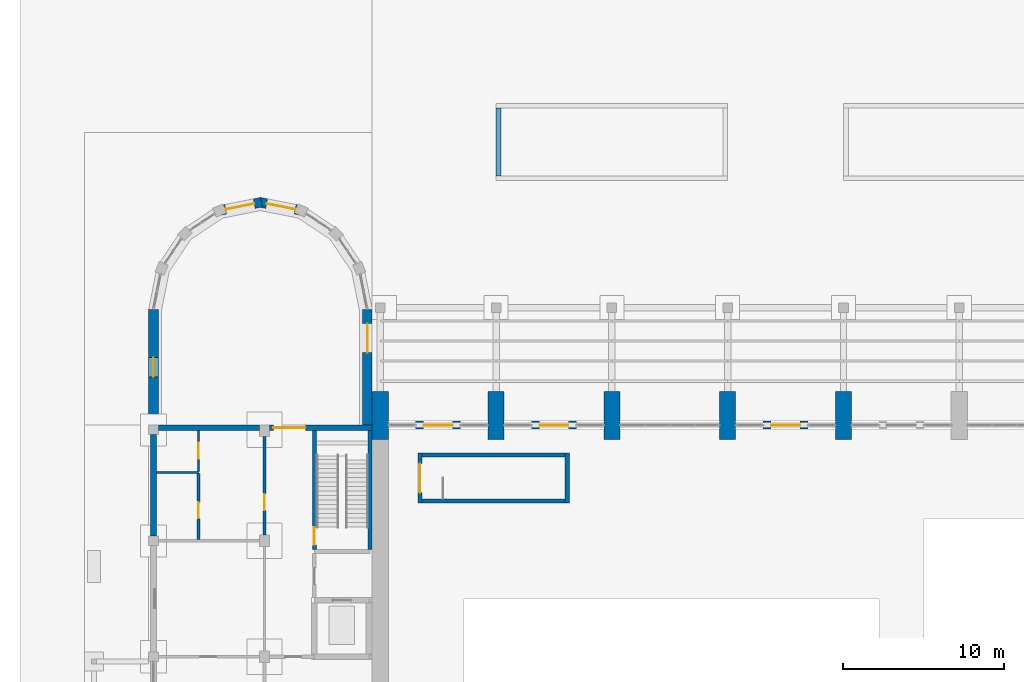
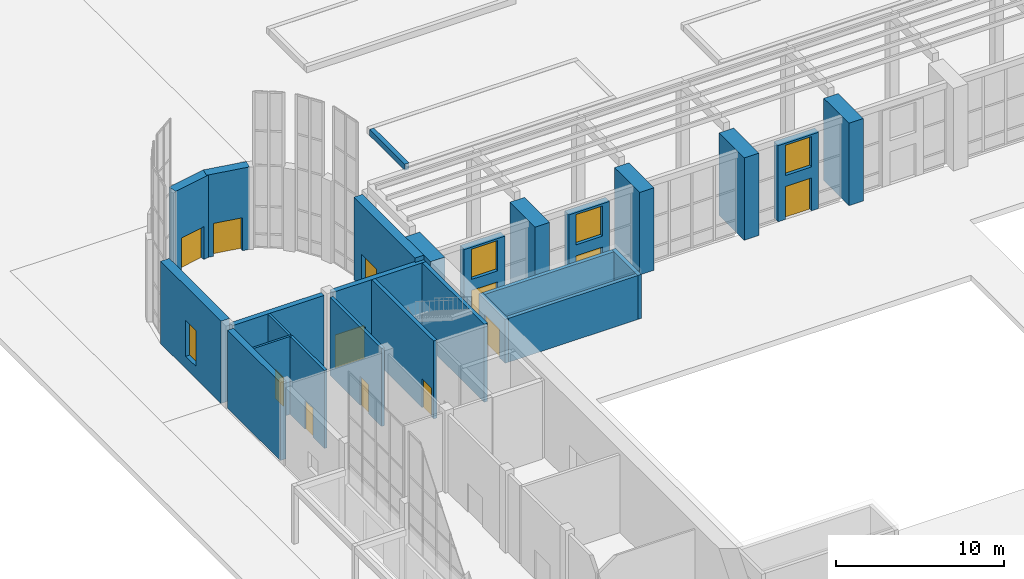
# One storey, part 45 of 70: 26 walls, 12 doors, 4 windows, 16 openings.
"""IFC4 building model written with IfcOpenShell, lengths in metres."""

from ifc_helpers import new_model, si_unit, direction, frame, frame_2d, origin, place, context, subcontext, project, spatial, rectangle, extrude, material, layer, layer_set, type_object, element, fill, save


model = new_model("IFC4")

# Units and contexts
model_context = context("Model", 3, precision=1e-05, world=origin(), true_north=direction((0.0, 1.0)))
body_context = subcontext(model_context, "Body", "Model", "MODEL_VIEW")
ifc_project = project(units=[si_unit("LENGTHUNIT", "METRE"), si_unit("AREAUNIT", "SQUARE_METRE"), si_unit("VOLUMEUNIT", "CUBIC_METRE"), si_unit("PLANEANGLEUNIT", "RADIAN"), si_unit("MASSUNIT", "GRAM", prefix="KILO")], contexts=[model_context])

# Site, building, storey
site_placement = place(None, origin())
site = spatial("IfcSite", under=ifc_project, at=site_placement, CompositionType="ELEMENT")
building_placement = place(site_placement, origin())
building = spatial("IfcBuilding", under=site, at=building_placement, Name="Vermilion Court Aquatics Centre", CompositionType="ELEMENT")
storey_placement = place(building_placement, origin())
storey = spatial("IfcBuildingStorey", under=building, at=storey_placement, Name="L00", CompositionType="ELEMENT", Elevation=0.0)

# Wall
ifc_material_1 = material(Name="Brick masonry", Category="masonry")
ifc_layer_1 = layer(ifc_material_1, 0.300048828125)
ifc_layer_set_1 = layer_set([ifc_layer_1], Name="Court planting kerb 300")
wall_type_1 = type_object("IfcWallType", Name="Court planting kerb 300", PredefinedType="SOLIDWALL", material=ifc_layer_set_1)
wall_1_placement = place(storey_placement, frame((21.75, 80.300048828125, 0.0), z_axis=(0.0, 0.0, 1.0), x_axis=(0.0, 1.0, 0.0)))
element("IfcWall", 1, at=wall_1_placement, inside=storey, type_object=wall_type_1, Name="Planting bed 1 kerb", PredefinedType="SOLIDWALL", context=body_context, shape_type="SweptSolid", body=[
    extrude(rectangle(XDim=4.199951171875, YDim=0.300048828125, at=frame_2d((2.10009765625, 0.0))), origin(), (0.0, 0.0, 1.0), 0.449951171875),
])

# Wall, openings, door, window
ifc_material_2 = material(Name="Brick masonry", Category="masonry")
ifc_layer_2 = layer(ifc_material_2, 0.5)
ifc_layer_set_2 = layer_set([ifc_layer_2], Name="Envelope brick north wall 500")
wall_type_2 = type_object("IfcWallType", Name="Envelope brick north wall 500", PredefinedType="SOLIDWALL", material=ifc_layer_set_2)
wall_2_placement = place(storey_placement, frame((16.60009765625, 64.800048828125, 0.0), z_axis=(0.0, 0.0, 1.0), x_axis=(1.0, 0.0, 0.0)))
wall_2 = element("IfcWall", 2, at=wall_2_placement, inside=storey, type_object=wall_type_2, Name="North wall bay 1 L00", PredefinedType="SOLIDWALL", context=body_context, shape_type="SweptSolid", body=[
    extrude(rectangle(XDim=2.7998046875, YDim=0.5, at=frame_2d((1.39990234375, 0.0))), origin(), (0.0, 0.0, 1.0), 5.550048828125),
])
opening_1_placement = place(wall_2_placement, frame((0.5, 0.0, 0.0)))
opening_1 = element("IfcOpeningElement", 3, at=opening_1_placement, cuts=wall_2, Name="Opening E00-003", PredefinedType="OPENING", context=body_context, shape_type="SweptSolid", body=[
    extrude(rectangle(XDim=1.800048828125, YDim=2.39990234375, at=frame_2d((0.89990234375, 1.199951171875))), frame((0.0, 0.260009765625, 0.0), z_axis=(0.0, -1.0, 0.0), x_axis=(1.0, 0.0, 0.0)), (0.0, 0.0, 1.0), 0.52001953125),
])
opening_2_placement = place(wall_2_placement, frame((0.5, 0.0, 3.199951171875)))
opening_2 = element("IfcOpeningElement", 4, at=opening_2_placement, cuts=wall_2, Name="Opening EF1", PredefinedType="OPENING", context=body_context, shape_type="SweptSolid", body=[
    extrude(rectangle(XDim=1.800048828125, YDim=2.199951171875, at=frame_2d((0.89990234375, 1.10009765625))), frame((0.0, 0.260009765625, 0.0), z_axis=(0.0, -1.0, 0.0), x_axis=(1.0, 0.0, 0.0)), (0.0, 0.0, 1.0), 0.52001953125),
])
ifc_material_3 = material(Name="Hollow metal")
door_type_1 = type_object("IfcDoorType", Name="Envelope exit door pair 1800x2400", OperationType="DOUBLE_DOOR_SINGLE_SWING", PredefinedType="DOOR", material=ifc_material_3)
door_1_placement = place(opening_1_placement, origin())
door_1 = element("IfcDoor", 5, at=door_1_placement, inside=storey, type_object=door_type_1, Name="Exit door E00-003", OperationType="DOUBLE_DOOR_SINGLE_SWING", OverallHeight=2.39990234375, OverallWidth=1.800048828125, PredefinedType="DOOR", context=body_context, shape_type="SweptSolid", body=[
    extrude(rectangle(XDim=1.800048828125, YDim=2.39990234375, at=frame_2d((0.89990234375, 1.199951171875))), frame((0.0, 0.02490234375, 0.0), z_axis=(0.0, -1.0, 0.0), x_axis=(1.0, 0.0, 0.0)), (0.0, 0.0, 1.0), 0.050048828125),
])
fill(opening_1, door_1)
ifc_material_4 = material(Name="Aluminium 6063-T5", Category="aluminium")
window_type_1 = type_object("IfcWindowType", Name="Envelope exit fanlight 1800x2200", PartitioningType="SINGLE_PANEL", PredefinedType="WINDOW", material=ifc_material_4)
window_1_placement = place(opening_2_placement, origin())
window_1 = element("IfcWindow", 6, at=window_1_placement, inside=storey, type_object=window_type_1, Name="Exit fanlight bay 1", OverallHeight=2.199951171875, OverallWidth=1.800048828125, PartitioningType="SINGLE_PANEL", PredefinedType="WINDOW", context=body_context, shape_type="SweptSolid", body=[
    extrude(rectangle(XDim=1.800048828125, YDim=2.199951171875, at=frame_2d((0.89990234375, 1.10009765625))), frame((0.0, 0.030029296875, 0.0), z_axis=(0.0, -1.0, 0.0), x_axis=(1.0, 0.0, 0.0)), (0.0, 0.0, 1.0), 0.06005859375),
])
fill(opening_2, window_1)

wall_3_placement = place(storey_placement, frame((23.800048828125, 64.800048828125, 0.0), z_axis=(0.0, 0.0, 1.0), x_axis=(1.0, 0.0, 0.0)))
wall_3 = element("IfcWall", 7, at=wall_3_placement, inside=storey, type_object=wall_type_2, Name="North wall bay 2 L00", PredefinedType="SOLIDWALL", context=body_context, shape_type="SweptSolid", body=[
    extrude(rectangle(XDim=2.800048828125, YDim=0.5, at=frame_2d((1.39990234375, 0.0))), origin(), (0.0, 0.0, 1.0), 5.550048828125),
])
opening_3_placement = place(wall_3_placement, frame((0.5, 0.0, 0.0)))
opening_3 = element("IfcOpeningElement", 8, at=opening_3_placement, cuts=wall_3, Name="Opening E00-004", PredefinedType="OPENING", context=body_context, shape_type="SweptSolid", body=[
    extrude(rectangle(XDim=1.800048828125, YDim=2.39990234375, at=frame_2d((0.89990234375, 1.199951171875))), frame((0.0, 0.260009765625, 0.0), z_axis=(0.0, -1.0, 0.0), x_axis=(1.0, 0.0, 0.0)), (0.0, 0.0, 1.0), 0.52001953125),
])
opening_4_placement = place(wall_3_placement, frame((0.5, 0.0, 3.199951171875)))
opening_4 = element("IfcOpeningElement", 9, at=opening_4_placement, cuts=wall_3, Name="Opening EF1", PredefinedType="OPENING", context=body_context, shape_type="SweptSolid", body=[
    extrude(rectangle(XDim=1.800048828125, YDim=2.199951171875, at=frame_2d((0.89990234375, 1.10009765625))), frame((0.0, 0.260009765625, 0.0), z_axis=(0.0, -1.0, 0.0), x_axis=(1.0, 0.0, 0.0)), (0.0, 0.0, 1.0), 0.52001953125),
])
door_2_placement = place(opening_3_placement, origin())
door_2 = element("IfcDoor", 10, at=door_2_placement, inside=storey, type_object=door_type_1, Name="Exit door E00-004", OperationType="DOUBLE_DOOR_SINGLE_SWING", OverallHeight=2.39990234375, OverallWidth=1.800048828125, PredefinedType="DOOR", context=body_context, shape_type="SweptSolid", body=[
    extrude(rectangle(XDim=1.800048828125, YDim=2.39990234375, at=frame_2d((0.89990234375, 1.199951171875))), frame((0.0, 0.02490234375, 0.0), z_axis=(0.0, -1.0, 0.0), x_axis=(1.0, 0.0, 0.0)), (0.0, 0.0, 1.0), 0.050048828125),
])
fill(opening_3, door_2)
window_2_placement = place(opening_4_placement, origin())
window_2 = element("IfcWindow", 11, at=window_2_placement, inside=storey, type_object=window_type_1, Name="Exit fanlight bay 2", OverallHeight=2.199951171875, OverallWidth=1.800048828125, PartitioningType="SINGLE_PANEL", PredefinedType="WINDOW", context=body_context, shape_type="SweptSolid", body=[
    extrude(rectangle(XDim=1.800048828125, YDim=2.199951171875, at=frame_2d((0.89990234375, 1.10009765625))), frame((0.0, 0.030029296875, 0.0), z_axis=(0.0, -1.0, 0.0), x_axis=(1.0, 0.0, 0.0)), (0.0, 0.0, 1.0), 0.06005859375),
])
fill(opening_4, window_2)

wall_4_placement = place(storey_placement, frame((38.199951171875, 64.800048828125, 0.0), z_axis=(0.0, 0.0, 1.0), x_axis=(1.0, 0.0, 0.0)))
wall_4 = element("IfcWall", 12, at=wall_4_placement, inside=storey, type_object=wall_type_2, Name="North wall bay 4 L00", PredefinedType="SOLIDWALL", context=body_context, shape_type="SweptSolid", body=[
    extrude(rectangle(XDim=2.800048828125, YDim=0.5, at=frame_2d((1.39990234375, 0.0))), origin(), (0.0, 0.0, 1.0), 5.550048828125),
])
opening_5_placement = place(wall_4_placement, frame((0.5, 0.0, 0.0)))
opening_5 = element("IfcOpeningElement", 13, at=opening_5_placement, cuts=wall_4, Name="Opening E00-005", PredefinedType="OPENING", context=body_context, shape_type="SweptSolid", body=[
    extrude(rectangle(XDim=1.800048828125, YDim=2.39990234375, at=frame_2d((0.89990234375, 1.199951171875))), frame((0.0, 0.260009765625, 0.0), z_axis=(0.0, -1.0, 0.0), x_axis=(1.0, 0.0, 0.0)), (0.0, 0.0, 1.0), 0.52001953125),
])
opening_6_placement = place(wall_4_placement, frame((0.5, 0.0, 3.199951171875)))
opening_6 = element("IfcOpeningElement", 14, at=opening_6_placement, cuts=wall_4, Name="Opening EF1", PredefinedType="OPENING", context=body_context, shape_type="SweptSolid", body=[
    extrude(rectangle(XDim=1.800048828125, YDim=2.199951171875, at=frame_2d((0.89990234375, 1.10009765625))), frame((0.0, 0.260009765625, 0.0), z_axis=(0.0, -1.0, 0.0), x_axis=(1.0, 0.0, 0.0)), (0.0, 0.0, 1.0), 0.52001953125),
])
door_3_placement = place(opening_5_placement, origin())
door_3 = element("IfcDoor", 15, at=door_3_placement, inside=storey, type_object=door_type_1, Name="Exit door E00-005", OperationType="DOUBLE_DOOR_SINGLE_SWING", OverallHeight=2.39990234375, OverallWidth=1.800048828125, PredefinedType="DOOR", context=body_context, shape_type="SweptSolid", body=[
    extrude(rectangle(XDim=1.800048828125, YDim=2.39990234375, at=frame_2d((0.89990234375, 1.199951171875))), frame((0.0, 0.02490234375, 0.0), z_axis=(0.0, -1.0, 0.0), x_axis=(1.0, 0.0, 0.0)), (0.0, 0.0, 1.0), 0.050048828125),
])
fill(opening_5, door_3)
window_3_placement = place(opening_6_placement, origin())
window_3 = element("IfcWindow", 16, at=window_3_placement, inside=storey, type_object=window_type_1, Name="Exit fanlight bay 4", OverallHeight=2.199951171875, OverallWidth=1.800048828125, PartitioningType="SINGLE_PANEL", PredefinedType="WINDOW", context=body_context, shape_type="SweptSolid", body=[
    extrude(rectangle(XDim=1.800048828125, YDim=2.199951171875, at=frame_2d((0.89990234375, 1.10009765625))), frame((0.0, 0.030029296875, 0.0), z_axis=(0.0, -1.0, 0.0), x_axis=(1.0, 0.0, 0.0)), (0.0, 0.0, 1.0), 0.06005859375),
])
fill(opening_6, window_3)

# Wall
ifc_material_5 = material(Name="Brick masonry", Category="masonry")
ifc_layer_3 = layer(ifc_material_5, 0.35009765625)
ifc_layer_set_3 = layer_set([ifc_layer_3], Name="Foyer brick wall 350")
wall_type_3 = type_object("IfcWallType", Name="Foyer brick wall 350", PredefinedType="SOLIDWALL", material=ifc_layer_set_3)
wall_5_placement = place(storey_placement, frame((0.60009765625, 64.625, 0.0), z_axis=(0.0, 0.0, 1.0), x_axis=(1.0, 0.0, 0.0)))
element("IfcWall", 17, at=wall_5_placement, inside=storey, type_object=wall_type_3, Name="Foyer brick wall", PredefinedType="SOLIDWALL", context=body_context, shape_type="SweptSolid", body=[
    extrude(rectangle(XDim=6.2998046875, YDim=0.35009765625, at=frame_2d((3.14990234375, 0.0))), origin(), (0.0, 0.0, 1.0), 5.675048828125),
])

# Wall, opening, door
wall_6_placement = place(storey_placement, frame((7.5, 64.625, 0.0), z_axis=(0.0, 0.0, 1.0), x_axis=(1.0, 0.0, 0.0)))
wall_6 = element("IfcWall", 18, at=wall_6_placement, inside=storey, type_object=wall_type_3, Name="Foyer brick wall", PredefinedType="SOLIDWALL", context=body_context, shape_type="SweptSolid", body=[
    extrude(rectangle(XDim=6.39990234375, YDim=0.35009765625, at=frame_2d((3.199951171875, 0.0))), origin(), (0.0, 0.0, 1.0), 5.675048828125),
])
opening_7_placement = place(wall_6_placement, frame((0.25, 0.0, 0.0)))
opening_7 = element("IfcOpeningElement", 19, at=opening_7_placement, cuts=wall_6, Name="Opening F00-024", PredefinedType="OPENING", context=body_context, shape_type="SweptSolid", body=[
    extrude(rectangle(XDim=2.0, YDim=2.39990234375, at=frame_2d((1.0, 1.199951171875))), frame((0.0, 0.18505859375, 0.0), z_axis=(0.0, -1.0, 0.0), x_axis=(1.0, 0.0, 0.0)), (0.0, 0.0, 1.0), 0.3701171875),
])
ifc_material_6 = material(Name="Hollow metal", Category="metal")
door_type_2 = type_object("IfcDoorType", Name="Foyer park link door 2000", OperationType="DOUBLE_DOOR_SINGLE_SWING", PredefinedType="DOOR", material=ifc_material_6)
door_4_placement = place(opening_7_placement, origin())
door_4 = element("IfcDoor", 20, at=door_4_placement, inside=storey, type_object=door_type_2, Name="Park link door", OperationType="DOUBLE_DOOR_SINGLE_SWING", OverallHeight=2.39990234375, OverallWidth=2.0, PredefinedType="DOOR", context=body_context, shape_type="SweptSolid", body=[
    extrude(rectangle(XDim=2.0, YDim=2.39990234375, at=frame_2d((1.0, 1.199951171875))), frame((0.0, 0.02490234375, 0.0), z_axis=(0.0, -1.0, 0.0), x_axis=(1.0, 0.0, 0.0)), (0.0, 0.0, 1.0), 0.050048828125),
])
fill(opening_7, door_4)

# Wall
ifc_material_7 = material(Name="Brick masonry", Category="masonry")
ifc_layer_4 = layer(ifc_material_7, 0.39990234375)
ifc_layer_set_4 = layer_set([ifc_layer_4], Name="Foyer brick wall 400")
wall_type_4 = type_object("IfcWallType", Name="Foyer brick wall 400", PredefinedType="SOLIDWALL", material=ifc_layer_set_4)
wall_7_placement = place(storey_placement, frame((0.300048828125, 57.89990234375, 0.0), z_axis=(0.0, 0.0, 1.0), x_axis=(0.0, 1.0, 0.0)))
element("IfcWall", 21, at=wall_7_placement, inside=storey, type_object=wall_type_4, Name="Foyer brick wall", PredefinedType="SOLIDWALL", context=body_context, shape_type="SweptSolid", body=[
    extrude(rectangle(XDim=6.300048828125, YDim=0.39990234375, at=frame_2d((3.14990234375, 0.0))), origin(), (0.0, 0.0, 1.0), 5.675048828125),
])

# Wall, opening, door
ifc_material_8 = material(Name="Concrete masonry ASTM C90 Type I", Category="masonry")
ifc_layer_5 = layer(ifc_material_8, 0.199951171875)
ifc_layer_set_5 = layer_set([ifc_layer_5], Name="Foyer partition wall 200")
wall_type_5 = type_object("IfcWallType", Name="Foyer partition wall 200", PredefinedType="PARTITIONING", material=ifc_layer_set_5)
wall_8_placement = place(storey_placement, frame((3.10009765625, 57.675048828125, 0.0), z_axis=(0.0, 0.0, 1.0), x_axis=(0.0, 1.0, 0.0)))
wall_8 = element("IfcWall", 22, at=wall_8_placement, inside=storey, type_object=wall_type_5, Name="Partition wall", PredefinedType="PARTITIONING", context=body_context, shape_type="SweptSolid", body=[
    extrude(rectangle(XDim=4.099853515625, YDim=0.199951171875, at=frame_2d((2.0498046875, 0.0))), origin(), (0.0, 0.0, 1.0), 5.675048828125),
])
opening_8_placement = place(wall_8_placement, frame((1.324951171875, 0.0, 0.0)))
opening_8 = element("IfcOpeningElement", 23, at=opening_8_placement, cuts=wall_8, Name="Opening F00-022", PredefinedType="OPENING", context=body_context, shape_type="SweptSolid", body=[
    extrude(rectangle(XDim=1.0, YDim=2.10009765625, at=frame_2d((0.5, 1.050048828125))), frame((0.0, 0.10986328125, 0.0), z_axis=(0.0, -1.0, 0.0), x_axis=(1.0, 0.0, 0.0)), (0.0, 0.0, 1.0), 0.219970703125),
])
ifc_material_9 = material(Name="Timber door leaf", Category="wood")
door_type_3 = type_object("IfcDoorType", Name="Foyer single door 1000", OperationType="NOTDEFINED", PredefinedType="DOOR", material=ifc_material_9)
door_5_placement = place(opening_8_placement, origin())
door_5 = element("IfcDoor", 24, at=door_5_placement, inside=storey, type_object=door_type_3, Name="Baby change room door", OperationType="SINGLE_SWING_LEFT", OverallHeight=2.10009765625, OverallWidth=1.0, PredefinedType="DOOR", context=body_context, shape_type="SweptSolid", body=[
    extrude(rectangle(XDim=1.0, YDim=2.10009765625, at=frame_2d((0.5, 1.050048828125))), frame((0.0, 0.02490234375, 0.0), z_axis=(0.0, -1.0, 0.0), x_axis=(1.0, 0.0, 0.0)), (0.0, 0.0, 1.0), 0.050048828125),
])
fill(opening_8, door_5)

wall_9_placement = place(storey_placement, frame((7.199951171875, 57.949951171875, 0.0), z_axis=(0.0, 0.0, 1.0), x_axis=(0.0, 1.0, 0.0)))
wall_9 = element("IfcWall", 25, at=wall_9_placement, inside=storey, type_object=wall_type_5, Name="Partition wall", PredefinedType="PARTITIONING", context=body_context, shape_type="SweptSolid", body=[
    extrude(rectangle(XDim=6.150146484375, YDim=0.199951171875, at=frame_2d((3.0751953125, 0.0))), origin(), (0.0, 0.0, 1.0), 5.675048828125),
])
opening_9_placement = place(wall_9_placement, frame((1.550048828125, 0.0, 0.0)))
opening_9 = element("IfcOpeningElement", 26, at=opening_9_placement, cuts=wall_9, Name="Opening F00-021", PredefinedType="OPENING", context=body_context, shape_type="SweptSolid", body=[
    extrude(rectangle(XDim=1.0, YDim=2.10009765625, at=frame_2d((0.5, 1.050048828125))), frame((0.0, 0.10986328125, 0.0), z_axis=(0.0, -1.0, 0.0), x_axis=(1.0, 0.0, 0.0)), (0.0, 0.0, 1.0), 0.219970703125),
])
door_6_placement = place(opening_9_placement, origin())
door_6 = element("IfcDoor", 27, at=door_6_placement, inside=storey, type_object=door_type_3, Name="Washroom hall door", OperationType="SINGLE_SWING_RIGHT", OverallHeight=2.10009765625, OverallWidth=1.0, PredefinedType="DOOR", context=body_context, shape_type="SweptSolid", body=[
    extrude(rectangle(XDim=1.0, YDim=2.10009765625, at=frame_2d((0.5, 1.050048828125))), frame((0.0, 0.02490234375, 0.0), z_axis=(0.0, -1.0, 0.0), x_axis=(1.0, 0.0, 0.0)), (0.0, 0.0, 1.0), 0.050048828125),
])
fill(opening_9, door_6)

ifc_material_10 = material(Name="Concrete 5000 psi", Category="concrete")
ifc_layer_6 = layer(ifc_material_10, 0.25)
ifc_layer_set_6 = layer_set([ifc_layer_6], Name="Foyer stair wall 250")
wall_type_6 = type_object("IfcWallType", Name="Foyer stair wall 250", PredefinedType="SOLIDWALL", material=ifc_layer_set_6)
wall_10_placement = place(storey_placement, frame((10.300048828125, 57.074951171875, 0.0), z_axis=(0.0, 0.0, 1.0), x_axis=(0.0, 1.0, 0.0)))
wall_10 = element("IfcWall", 28, at=wall_10_placement, inside=storey, type_object=wall_type_6, Name="Stair enclosure wall", PredefinedType="SOLIDWALL", context=body_context, shape_type="SweptSolid", body=[
    extrude(rectangle(XDim=7.375, YDim=0.25, at=frame_2d((3.6875, 0.0))), origin(), (0.0, 0.0, 1.0), 5.675048828125),
])
opening_10_placement = place(wall_10_placement, frame((0.27490234375, 0.0, 0.0)))
opening_10 = element("IfcOpeningElement", 29, at=opening_10_placement, cuts=wall_10, Name="Opening F00-008", PredefinedType="OPENING", context=body_context, shape_type="SweptSolid", body=[
    extrude(rectangle(XDim=1.10009765625, YDim=2.10009765625, at=frame_2d((0.550048828125, 1.050048828125))), frame((0.0, 0.135009765625, 0.0), z_axis=(0.0, -1.0, 0.0), x_axis=(1.0, 0.0, 0.0)), (0.0, 0.0, 1.0), 0.27001953125),
])
ifc_material_11 = material(Name="Hollow metal", Category="metal")
door_type_4 = type_object("IfcDoorType", Name="Foyer stair door 1100", OperationType="NOTDEFINED", PredefinedType="DOOR", material=ifc_material_11)
door_7_placement = place(opening_10_placement, origin())
door_7 = element("IfcDoor", 30, at=door_7_placement, inside=storey, type_object=door_type_4, Name="Exit stair F2 door", OperationType="SINGLE_SWING_LEFT", OverallHeight=2.10009765625, OverallWidth=1.10009765625, PredefinedType="DOOR", context=body_context, shape_type="SweptSolid", body=[
    extrude(rectangle(XDim=1.10009765625, YDim=2.10009765625, at=frame_2d((0.550048828125, 1.050048828125))), frame((0.0, 0.02490234375, 0.0), z_axis=(0.0, -1.0, 0.0), x_axis=(1.0, 0.0, 0.0)), (0.0, 0.0, 1.0), 0.050048828125),
])
fill(opening_10, door_7)

# Wall
wall_11_placement = place(storey_placement, frame((13.77490234375, 57.074951171875, 0.0), z_axis=(0.0, 0.0, 1.0), x_axis=(0.0, 1.0, 0.0)))
element("IfcWall", 31, at=wall_11_placement, inside=storey, type_object=wall_type_6, Name="Stair enclosure wall", PredefinedType="SOLIDWALL", context=body_context, shape_type="SweptSolid", body=[
    extrude(rectangle(XDim=7.375, YDim=0.25, at=frame_2d((3.6875, 0.0))), origin(), (0.0, 0.0, 1.0), 5.675048828125),
])

# Wall, opening, door
ifc_material_12 = material(Name="Concrete masonry ASTM C90 Type I", Category="masonry")
ifc_layer_7 = layer(ifc_material_12, 0.14990234375)
ifc_layer_set_7 = layer_set([ifc_layer_7], Name="Foyer wet room partition 150")
wall_type_7 = type_object("IfcWallType", Name="Foyer wet room partition 150", PredefinedType="PARTITIONING", material=ifc_layer_set_7)
wall_12_placement = place(storey_placement, frame((3.10009765625, 61.925048828125, 0.0), z_axis=(0.0, 0.0, 1.0), x_axis=(0.0, 1.0, 0.0)))
wall_12 = element("IfcWall", 32, at=wall_12_placement, inside=storey, type_object=wall_type_7, Name="Wall", PredefinedType="PARTITIONING", context=body_context, shape_type="SweptSolid", body=[
    extrude(rectangle(XDim=2.52490234375, YDim=0.14990234375, at=frame_2d((1.262451171875, 0.0))), origin(), (0.0, 0.0, 1.0), 5.675048828125),
])
opening_11_placement = place(wall_12_placement, frame((0.77490234375, 0.0, 0.0)))
opening_11 = element("IfcOpeningElement", 33, at=opening_11_placement, cuts=wall_12, Name="Opening F00-023", PredefinedType="OPENING", context=body_context, shape_type="SweptSolid", body=[
    extrude(rectangle(XDim=1.0, YDim=2.10009765625, at=frame_2d((0.5, 1.050048828125))), frame((0.0, 0.0849609375, 0.0), z_axis=(0.0, -1.0, 0.0), x_axis=(1.0, 0.0, 0.0)), (0.0, 0.0, 1.0), 0.169921875),
])
door_8_placement = place(opening_11_placement, origin())
door_8 = element("IfcDoor", 34, at=door_8_placement, inside=storey, type_object=door_type_3, Name="Accessible WC door", OperationType="SINGLE_SWING_RIGHT", OverallHeight=2.10009765625, OverallWidth=1.0, PredefinedType="DOOR", context=body_context, shape_type="SweptSolid", body=[
    extrude(rectangle(XDim=1.0, YDim=2.10009765625, at=frame_2d((0.5, 1.050048828125))), frame((0.0, 0.02490234375, 0.0), z_axis=(0.0, -1.0, 0.0), x_axis=(1.0, 0.0, 0.0)), (0.0, 0.0, 1.0), 0.050048828125),
])
fill(opening_11, door_8)

# Wall
wall_13_placement = place(storey_placement, frame((0.5, 61.85009765625, 0.0), z_axis=(0.0, 0.0, 1.0), x_axis=(1.0, 0.0, 0.0)))
element("IfcWall", 35, at=wall_13_placement, inside=storey, type_object=wall_type_7, Name="Wall", PredefinedType="PARTITIONING", context=body_context, shape_type="SweptSolid", body=[
    extrude(rectangle(XDim=2.60009765625, YDim=0.14990234375, at=frame_2d((1.300048828125, 0.0))), origin(), (0.0, 0.0, 1.0), 5.675048828125),
])

# Wall, opening, door
ifc_material_13 = material(Name="Concrete 5000 psi", Category="concrete")
ifc_layer_8 = layer(ifc_material_13, 0.25)
ifc_layer_set_8 = layer_set([ifc_layer_8], Name="Hall stair enclosure wall 250")
wall_type_8 = type_object("IfcWallType", Name="Hall stair enclosure wall 250", PredefinedType="SOLIDWALL", material=ifc_layer_set_8)
wall_14_placement = place(storey_placement, frame((16.875, 59.949951171875, 0.0), z_axis=(0.0, 0.0, 1.0), x_axis=(0.0, 1.0, 0.0)))
wall_14 = element("IfcWall", 36, at=wall_14_placement, inside=storey, type_object=wall_type_8, Name="Stair lobby 3 wall", PredefinedType="SOLIDWALL", context=body_context, shape_type="SweptSolid", body=[
    extrude(rectangle(XDim=3.10009765625, YDim=0.25, at=frame_2d((1.550048828125, 0.0))), origin(), (0.0, 0.0, 1.0), 3.199951171875),
])
opening_12_placement = place(wall_14_placement, frame((0.64990234375, 0.0, 0.0)))
opening_12 = element("IfcOpeningElement", 37, at=opening_12_placement, cuts=wall_14, Name="Opening H00-006", PredefinedType="OPENING", context=body_context, shape_type="SweptSolid", body=[
    extrude(rectangle(XDim=1.800048828125, YDim=2.10009765625, at=frame_2d((0.89990234375, 1.050048828125))), frame((0.0, 0.135009765625, 0.0), z_axis=(0.0, -1.0, 0.0), x_axis=(1.0, 0.0, 0.0)), (0.0, 0.0, 1.0), 0.27001953125),
])
ifc_material_14 = material(Name="Hollow metal")
door_type_5 = type_object("IfcDoorType", Name="Hall double door 1800x2100", OperationType="DOUBLE_DOOR_SINGLE_SWING", PredefinedType="DOOR", material=ifc_material_14)
door_9_placement = place(opening_12_placement, frame((1.800048828125, 0.0, 0.0), z_axis=(0.0, 0.0, 1.0), x_axis=(-1.0, 0.0, 0.0)))
door_9 = element("IfcDoor", 38, at=door_9_placement, inside=storey, type_object=door_type_5, Name="Door from stair lobby 3 to the deck", OperationType="DOUBLE_DOOR_SINGLE_SWING", OverallHeight=2.10009765625, OverallWidth=1.800048828125, PredefinedType="DOOR", context=body_context, shape_type="SweptSolid", body=[
    extrude(rectangle(XDim=1.800048828125, YDim=2.10009765625, at=frame_2d((0.900146484375, 1.050048828125))), frame((0.0, 0.025146484375, 0.0), z_axis=(0.0, -1.0, 0.0), x_axis=(1.0, 0.0, 0.0)), (0.0, 0.0, 1.0), 0.050048828125),
])
fill(opening_12, door_9)

# Walls
wall_15_placement = place(storey_placement, frame((26.02490234375, 59.949951171875, 0.0), z_axis=(0.0, 0.0, 1.0), x_axis=(0.0, 1.0, 0.0)))
element("IfcWall", 39, at=wall_15_placement, inside=storey, type_object=wall_type_8, Name="Stair lobby 3 wall", PredefinedType="SOLIDWALL", context=body_context, shape_type="SweptSolid", body=[
    extrude(rectangle(XDim=3.10009765625, YDim=0.25, at=frame_2d((1.550048828125, 0.0))), origin(), (0.0, 0.0, 1.0), 3.199951171875),
])
for number, where, z_axis, x_axis, name in (
    (40, (17.0, 60.074951171875, 0.0), (0.0, 0.0, 1.0), (1.0, 0.0, 0.0), "Stair lobby 3 wall"),
    (41, (17.0, 62.925048828125, 0.0), (0.0, 0.0, 1.0), (1.0, 0.0, 0.0), "Stair lobby 3 wall"),
):
    element("IfcWall", number, at=place(storey_placement, frame(where, z_axis=z_axis, x_axis=x_axis)), inside=storey, type_object=wall_type_8, Name=name, PredefinedType="SOLIDWALL", context=body_context, shape_type="SweptSolid", body=[
        extrude(rectangle(XDim=8.89990234375, YDim=0.25, at=frame_2d((4.449951171875, 0.0))), origin(), (0.0, 0.0, 1.0), 3.199951171875),
    ])
ifc_material_15 = material(Name="Concrete 5000 psi", Category="concrete")
ifc_layer_9 = layer(ifc_material_15, 1.0)
ifc_layer_set_9 = layer_set([ifc_layer_9], Name="Roof buttress pier")
wall_type_9 = type_object("IfcWallType", Name="Roof buttress pier", PredefinedType="SOLIDWALL", material=ifc_layer_set_9)
for number, where, z_axis, x_axis, name in (
    (42, (14.39990234375, 63.89990234375, 0.0), (0.0, 0.0, 1.0), (0.0, 1.0, 0.0), "Buttress pier BPN01"),
    (43, (21.60009765625, 63.89990234375, 0.0), (0.0, 0.0, 1.0), (0.0, 1.0, 0.0), "Buttress pier BPN02"),
    (44, (28.800048828125, 63.89990234375, 0.0), (0.0, 0.0, 1.0), (0.0, 1.0, 0.0), "Buttress pier BPN03"),
    (45, (36.0, 63.89990234375, 0.0), (0.0, 0.0, 1.0), (0.0, 1.0, 0.0), "Buttress pier BPN04"),
    (46, (43.199951171875, 63.89990234375, 0.0), (0.0, 0.0, 1.0), (0.0, 1.0, 0.0), "Buttress pier BPN05"),
):
    element("IfcWall", number, at=place(storey_placement, frame(where, z_axis=z_axis, x_axis=x_axis)), inside=storey, type_object=wall_type_9, Name=name, PredefinedType="SOLIDWALL", context=body_context, shape_type="SweptSolid", body=[
        extrude(rectangle(XDim=3.0, YDim=1.0, at=frame_2d((1.5, 0.0))), origin(), (0.0, 0.0, 1.0), 6.0),
    ])

# Wall, opening, door
ifc_material_16 = material(Name="Brick masonry", Category="masonry")
ifc_layer_10 = layer(ifc_material_16, 0.60009765625)
ifc_layer_set_10 = layer_set([ifc_layer_10], Name="Rotunda brick wall 600")
wall_type_10 = type_object("IfcWallType", Name="Rotunda brick wall 600", PredefinedType="SOLIDWALL", material=ifc_layer_set_10)
wall_16_placement = place(storey_placement, frame((4.348876953125, 78.126708984375, 0.0), z_axis=(0.0, 0.0, 1.0), x_axis=(0.980784441987, 0.195094536973, 0.0)))
wall_16 = element("IfcWall", 47, at=wall_16_placement, inside=storey, type_object=wall_type_10, Name="Rotunda brick wall", PredefinedType="SOLIDWALL", context=body_context, shape_type="SweptSolid", body=[
    extrude(rectangle(XDim=2.711669921875, YDim=0.60009765625, at=frame_2d((1.35595703125, 0.0))), origin(), (0.0, 0.0, 1.0), 6.0),
])
opening_13_placement = place(wall_16_placement, frame((0.455810546875, 0.0, 0.0)))
opening_13 = element("IfcOpeningElement", 48, at=opening_13_placement, cuts=wall_16, Name="Opening H00-001", PredefinedType="OPENING", context=body_context, shape_type="SweptSolid", body=[
    extrude(rectangle(XDim=1.800048828125, YDim=2.39990234375, at=frame_2d((0.89990234375, 1.199951171875))), frame((0.0, 0.31005859375, 0.0), z_axis=(0.0, -1.0, 0.0), x_axis=(1.0, 0.0, 0.0)), (0.0, 0.0, 1.0), 0.6201171875),
])
ifc_material_17 = material(Name="Hollow metal", Category="metal")
door_type_6 = type_object("IfcDoorType", Name="Rotunda exit door pair 1800x2400", OperationType="DOUBLE_DOOR_SINGLE_SWING", PredefinedType="DOOR", material=ifc_material_17)
door_10_placement = place(opening_13_placement, origin())
door_10 = element("IfcDoor", 49, at=door_10_placement, inside=storey, type_object=door_type_6, Name="Rotunda exit door", OperationType="DOUBLE_DOOR_SINGLE_SWING", OverallHeight=2.39990234375, OverallWidth=1.800048828125, PredefinedType="DOOR", context=body_context, shape_type="SweptSolid", body=[
    extrude(rectangle(XDim=1.800048828125, YDim=2.39990234375, at=frame_2d((0.89990234375, 1.199951171875))), frame((0.0, 0.02490234375, 0.0), z_axis=(0.0, -1.0, 0.0), x_axis=(1.0, 0.0, 0.0)), (0.0, 0.0, 1.0), 0.050048828125),
])
fill(opening_13, door_10)

wall_17_placement = place(storey_placement, frame((6.8916015625, 78.65576171875, 0.0), z_axis=(0.0, 0.0, 1.0), x_axis=(0.98078101483, -0.195111765275, 0.0)))
wall_17 = element("IfcWall", 50, at=wall_17_placement, inside=storey, type_object=wall_type_10, Name="Rotunda brick wall", PredefinedType="SOLIDWALL", context=body_context, shape_type="SweptSolid", body=[
    extrude(rectangle(XDim=2.71142578125, YDim=0.60009765625, at=frame_2d((1.355712890625, 0.0))), origin(), (0.0, 0.0, 1.0), 6.0),
])
opening_14_placement = place(wall_17_placement, frame((0.455810546875, 0.0, 0.0)))
opening_14 = element("IfcOpeningElement", 51, at=opening_14_placement, cuts=wall_17, Name="Opening H00-002", PredefinedType="OPENING", context=body_context, shape_type="SweptSolid", body=[
    extrude(rectangle(XDim=1.800048828125, YDim=2.39990234375, at=frame_2d((0.89990234375, 1.199951171875))), frame((0.0, 0.31005859375, 0.0), z_axis=(0.0, -1.0, 0.0), x_axis=(1.0, 0.0, 0.0)), (0.0, 0.0, 1.0), 0.6201171875),
])
door_11_placement = place(opening_14_placement, origin())
door_11 = element("IfcDoor", 52, at=door_11_placement, inside=storey, type_object=door_type_6, Name="Rotunda exit door", OperationType="DOUBLE_DOOR_SINGLE_SWING", OverallHeight=2.39990234375, OverallWidth=1.800048828125, PredefinedType="DOOR", context=body_context, shape_type="SweptSolid", body=[
    extrude(rectangle(XDim=1.800048828125, YDim=2.39990234375, at=frame_2d((0.89990234375, 1.199951171875))), frame((0.0, 0.02490234375, 0.0), z_axis=(0.0, -1.0, 0.0), x_axis=(1.0, 0.0, 0.0)), (0.0, 0.0, 1.0), 0.050048828125),
])
fill(opening_14, door_11)

# Wall, opening, window
wall_18_placement = place(storey_placement, frame((0.300048828125, 64.800048828125, 0.0), z_axis=(0.0, 0.0, 1.0), x_axis=(0.0, 1.0, 0.0)))
wall_18 = element("IfcWall", 53, at=wall_18_placement, inside=storey, type_object=wall_type_10, Name="Rotunda brick wall", PredefinedType="SOLIDWALL", context=body_context, shape_type="SweptSolid", body=[
    extrude(rectangle(XDim=7.199951171875, YDim=0.60009765625, at=frame_2d((3.60009765625, 0.0))), origin(), (0.0, 0.0, 1.0), 6.0),
])
opening_15_placement = place(wall_18_placement, frame((3.0, 0.0, 0.89990234375)))
opening_15 = element("IfcOpeningElement", 54, at=opening_15_placement, cuts=wall_18, Name="Opening HRT7", PredefinedType="OPENING", context=body_context, shape_type="SweptSolid", body=[
    extrude(rectangle(XDim=1.199951171875, YDim=2.60009765625, at=frame_2d((0.60009765625, 1.300048828125))), frame((0.0, 0.31005859375, 0.0), z_axis=(0.0, -1.0, 0.0), x_axis=(1.0, 0.0, 0.0)), (0.0, 0.0, 1.0), 0.6201171875),
])
ifc_material_18 = material(Name="Aluminium 6063-T5", Category="aluminium")
window_type_2 = type_object("IfcWindowType", Name="Rotunda window 1200x2600", PartitioningType="DOUBLE_PANEL_VERTICAL", PredefinedType="WINDOW", material=ifc_material_18)
window_4_placement = place(opening_15_placement, origin())
window_4 = element("IfcWindow", 55, at=window_4_placement, inside=storey, type_object=window_type_2, Name="Rotunda window", OverallHeight=2.60009765625, OverallWidth=1.199951171875, PartitioningType="DOUBLE_PANEL_VERTICAL", PredefinedType="WINDOW", context=body_context, shape_type="SweptSolid", body=[
    extrude(rectangle(XDim=1.199951171875, YDim=2.60009765625, at=frame_2d((0.60009765625, 1.300048828125))), frame((0.0, 0.030029296875, 0.0), z_axis=(0.0, -1.0, 0.0), x_axis=(1.0, 0.0, 0.0)), (0.0, 0.0, 1.0), 0.06005859375),
])
fill(opening_15, window_4)

# Wall, opening, door
wall_19_placement = place(storey_placement, frame((13.60009765625, 64.699951171875, 0.0), z_axis=(0.0, 0.0, 1.0), x_axis=(0.0, 1.0, 0.0)))
wall_19 = element("IfcWall", 56, at=wall_19_placement, inside=storey, type_object=wall_type_10, Name="Rotunda brick wall", PredefinedType="SOLIDWALL", context=body_context, shape_type="SweptSolid", body=[
    extrude(rectangle(XDim=7.300048828125, YDim=0.60009765625, at=frame_2d((3.64990234375, 0.0))), origin(), (0.0, 0.0, 1.0), 6.0),
])
opening_16_placement = place(wall_19_placement, frame((4.60009765625, 0.0, 0.0)))
opening_16 = element("IfcOpeningElement", 57, at=opening_16_placement, cuts=wall_19, Name="Opening H00-003", PredefinedType="OPENING", context=body_context, shape_type="SweptSolid", body=[
    extrude(rectangle(XDim=1.800048828125, YDim=2.39990234375, at=frame_2d((0.89990234375, 1.199951171875))), frame((0.0, 0.31005859375, 0.0), z_axis=(0.0, -1.0, 0.0), x_axis=(1.0, 0.0, 0.0)), (0.0, 0.0, 1.0), 0.6201171875),
])
door_12_placement = place(opening_16_placement, frame((1.800048828125, 0.0, 0.0), z_axis=(0.0, 0.0, 1.0), x_axis=(-1.0, 0.0, 0.0)))
door_12 = element("IfcDoor", 58, at=door_12_placement, inside=storey, type_object=door_type_6, Name="Rotunda court door", OperationType="DOUBLE_DOOR_SINGLE_SWING", OverallHeight=2.39990234375, OverallWidth=1.800048828125, PredefinedType="DOOR", context=body_context, shape_type="SweptSolid", body=[
    extrude(rectangle(XDim=1.800048828125, YDim=2.39990234375, at=frame_2d((0.900146484375, 1.199951171875))), frame((0.0, 0.025146484375, 0.0), z_axis=(0.0, -1.0, 0.0), x_axis=(1.0, 0.0, 0.0)), (0.0, 0.0, 1.0), 0.050048828125),
])
fill(opening_16, door_12)

save(model, "model.ifc")
